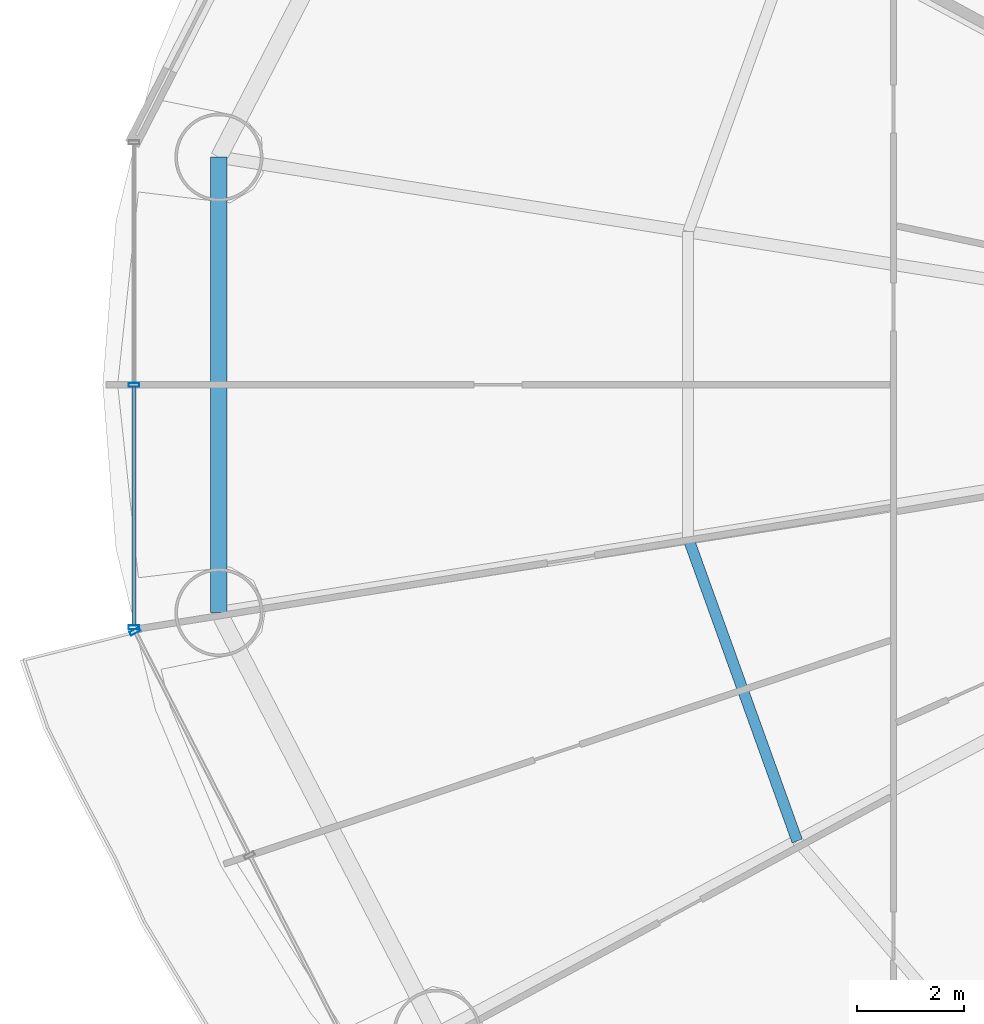
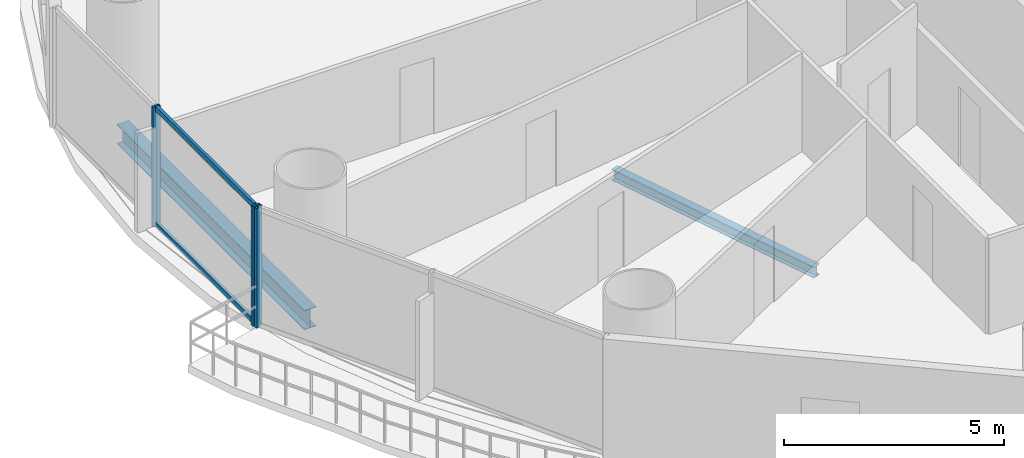
# One storey, part 6 of 29: 5 members, 2 beams, 2 elements without a shape of their own.
"""IFC4 building model written with IfcOpenShell, lengths in metres."""

from ifc_helpers import new_model, si_unit, direction, frame, origin, origin_2d, place, context, subcontext, project, spatial, hollow_rectangle, i_section, extrude, source, transform, mapped, material, material_profile, profile_set, type_object, element, aggregate, save


model = new_model("IFC4")

# Units and contexts
model_context = context("Model", 3, precision=1e-05, world=origin(), true_north=direction((-0.2419218956, 0.970295726276)))
body_context = subcontext(model_context, "Body", "Model", "MODEL_VIEW")
ifc_project = project(units=[si_unit("LENGTHUNIT", "METRE"), si_unit("AREAUNIT", "SQUARE_METRE"), si_unit("VOLUMEUNIT", "CUBIC_METRE"), si_unit("PLANEANGLEUNIT", "RADIAN"), si_unit("MASSUNIT", "GRAM", prefix="KILO")], contexts=[model_context])

# Site, building, storey
site_placement = place(None, origin())
site = spatial("IfcSite", under=ifc_project, at=site_placement, CompositionType="ELEMENT")
building_placement = place(site_placement, origin())
building = spatial("IfcBuilding", under=site, at=building_placement, Name="Cobrevalo Terracotta Tower", CompositionType="ELEMENT")
storey_placement = place(building_placement, frame((0.0, 0.0, 49.199951171875)))
storey = spatial("IfcBuildingStorey", under=building, at=storey_placement, Name="L12", CompositionType="ELEMENT", Elevation=49.199951171875)

# Beams
ifc_material_1 = material(Name="Steel S355", Category="steel")
ifc_material_profile_1 = material_profile(ifc_material_1, i_section(OverallWidth=0.2041015625, OverallDepth=0.305908203125, WebThickness=0.008544921875, FlangeThickness=0.0146484375, at=origin_2d()), Name="W 310x67")
ifc_profile_set_1 = profile_set([ifc_material_profile_1], Name="Steel S355")
beam_type_1 = type_object("IfcBeamType", Name="Structural Joist W 310x67 (Steel S355)", PredefinedType="JOIST", material=ifc_profile_set_1)
beam_1_placement = place(storey_placement, frame((19.960205078125, 23.933349609375, -0.432861328125), z_axis=(0.338672151116, -0.940904444701, 0.0), x_axis=(0.940904444701, 0.338672151116, 0.0)))
element("IfcBeam", 1, at=beam_1_placement, inside=storey, type_object=beam_type_1, Name="L12 circumferential secondary floor joist 09", PredefinedType="JOIST", context=body_context, shape_type="SweptSolid", body=[
    extrude(i_section(OverallWidth=0.2041015625, OverallDepth=0.305908203125, WebThickness=0.008544921875, FlangeThickness=0.0146484375, at=origin_2d()), origin(), (0.0, 0.0, 1.0), 6.029296875),
])
ifc_material_profile_2 = material_profile(ifc_material_1, i_section(OverallWidth=0.31201171875, OverallDepth=0.54296875, WebThickness=0.0126953125, FlangeThickness=0.020263671875, at=origin_2d()), Name="W 530x150")
ifc_profile_set_2 = profile_set([ifc_material_profile_2], Name="Steel S355")
beam_type_2 = type_object("IfcBeamType", Name="Structural Spandrel W 530x150 (Steel S355)", PredefinedType="SPANDREL", material=ifc_profile_set_2)
beam_2_placement = place(storey_placement, frame((11.175537109375, 31.062744140625, -0.551513671875), z_axis=(0.0, -1.0, 0.0), x_axis=(1.0, 0.0, 0.0)))
element("IfcBeam", 2, at=beam_2_placement, inside=storey, type_object=beam_type_2, Name="L12 perimeter ring spandrel 08", PredefinedType="SPANDREL", context=body_context, shape_type="SweptSolid", body=[
    extrude(i_section(OverallWidth=0.31201171875, OverallDepth=0.54296875, WebThickness=0.0126953125, FlangeThickness=0.020263671875, at=origin_2d()), origin(), (0.0, 0.0, 1.0), 8.525390625),
])

# Curtain wall, members
ifc_material_2 = material(Name="Anodized aluminium", Category="aluminium")
curtain_wall_type = type_object("IfcCurtainWallType", Name="Lower-tower unitised acoustic low-E curtain wall CW-U1", PredefinedType="NOTDEFINED", material=ifc_material_2)
curtain_wall_1_placement = place(storey_placement, origin())
curtain_wall_1 = element("IfcCurtainWall", 3, at=curtain_wall_1_placement, inside=storey, type_object=curtain_wall_type, Name="L12 curtain wall CW-L12-S08", PredefinedType="NOTDEFINED")
ifc_material_profile_3 = material_profile(ifc_material_2, hollow_rectangle(XDim=0.074951171875, YDim=0.199951171875, WallThickness=0.0048828125, at=origin_2d()), Name="CWM 75x200")
ifc_profile_set_3 = profile_set([ifc_material_profile_3], Name="Anodized aluminium")
member_type_1 = type_object("IfcMemberType", Name="Lower/mid tower unitised mullion 75x200", PredefinedType="MULLION", material=ifc_profile_set_3)
shared_shape_1 = source(origin(), body_context, "Body", "SweptSolid", [
    extrude(hollow_rectangle(XDim=0.074951171875, YDim=0.199951171875, WallThickness=0.0048828125, at=origin_2d()), origin(), (0.0, 0.0, 1.0), 3.320068359375),
])
member_1_placement = place(storey_placement, frame((9.586669921875, 26.800048828125, 0.0), z_axis=(0.0, 0.0, 1.0), x_axis=(0.0, -1.0, 0.0)))
member_1 = element("IfcMember", 4, at=member_1_placement, type_object=member_type_1, Name="CW-L12-S08 vertical mullion 02", PredefinedType="MULLION", context=body_context, shape_type="MappedRepresentation", body=[
    mapped(shared_shape_1, transform((0.0, 0.0, 0.0), scale=1.0)),
])
member_2_placement = place(storey_placement, frame((9.586669921875, 22.26123046875, 0.0), z_axis=(0.0, 0.0, 1.0), x_axis=(0.0, -1.0, 0.0)))
member_2 = element("IfcMember", 5, at=member_2_placement, type_object=member_type_1, Name="CW-L12-S08 vertical mullion 03", PredefinedType="MULLION", context=body_context, shape_type="MappedRepresentation", body=[
    mapped(shared_shape_1, transform((0.0, 0.0, 0.0), scale=1.0)),
])

# Curtain wall, member
curtain_wall_2_placement = place(storey_placement, origin())
curtain_wall_2 = element("IfcCurtainWall", 6, at=curtain_wall_2_placement, inside=storey, type_object=curtain_wall_type, Name="L12 curtain wall CW-L12-S09", PredefinedType="NOTDEFINED")
member_3_placement = place(storey_placement, frame((9.60498046875, 22.185546875, 0.0), z_axis=(0.0, 0.0, 1.0), x_axis=(0.455234136597, -0.890371765543, 0.0)))
member_3 = element("IfcMember", 7, at=member_3_placement, type_object=member_type_1, Name="CW-L12-S09 vertical mullion 01", PredefinedType="MULLION", context=body_context, shape_type="MappedRepresentation", body=[
    mapped(shared_shape_1, transform((0.0, 0.0, 0.0), scale=1.0)),
])
aggregate(curtain_wall_2, [member_3])

# Member
ifc_material_profile_4 = material_profile(ifc_material_2, hollow_rectangle(XDim=0.074951171875, YDim=0.14990234375, WallThickness=0.00439453125, at=origin_2d()), Name="CWT 75x150")
ifc_profile_set_4 = profile_set([ifc_material_profile_4], Name="Anodized aluminium")
member_type_2 = type_object("IfcMemberType", Name="Tower unitised aluminium transom 75x150", PredefinedType="USERDEFINED", material=ifc_profile_set_4)
shared_shape_2 = source(origin(), body_context, "Body", "SweptSolid", [
    extrude(hollow_rectangle(XDim=0.074951171875, YDim=0.14990234375, WallThickness=0.00439453125, at=origin_2d()), origin(), (0.0, 0.0, 1.0), 4.458740234375),
])
member_4_placement = place(storey_placement, frame((9.586669921875, 26.760009765625, 0.050048828125), z_axis=(0.0, -1.0, 0.0), x_axis=(1.0, 0.0, 0.0)))
member_4 = element("IfcMember", 8, at=member_4_placement, type_object=member_type_2, Name="CW-L12-S08 transom B02-T1", ObjectType="TRANSOM", PredefinedType="USERDEFINED", context=body_context, shape_type="MappedRepresentation", body=[
    mapped(shared_shape_2, transform((0.0, 0.0, 0.0), scale=1.0)),
])

member_5_placement = place(storey_placement, frame((9.586669921875, 26.760009765625, 3.27001953125), z_axis=(0.0, -1.0, 0.0), x_axis=(1.0, 0.0, 0.0)))
member_5 = element("IfcMember", 9, at=member_5_placement, type_object=member_type_2, Name="CW-L12-S08 transom B02-T2", ObjectType="TRANSOM", PredefinedType="USERDEFINED", context=body_context, shape_type="MappedRepresentation", body=[
    mapped(shared_shape_2, transform((0.0, 0.0, 0.0), scale=1.0)),
])

aggregate(curtain_wall_1, [member_1, member_2, member_4, member_5])

save(model, "model.ifc")
